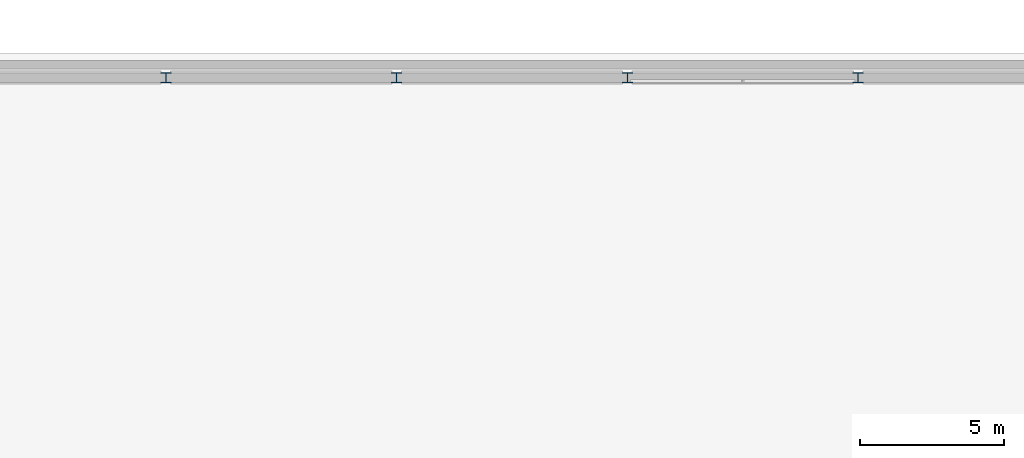
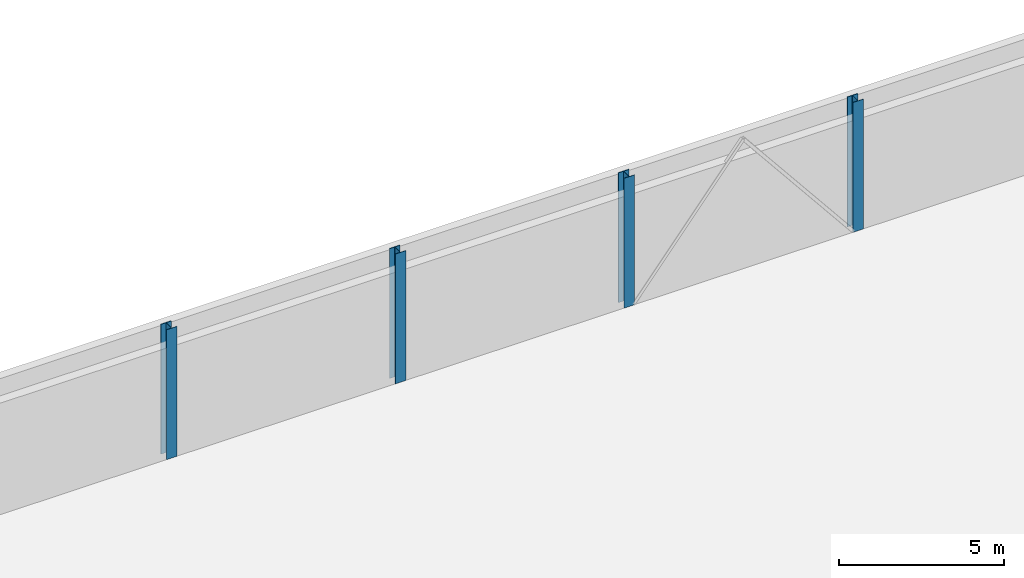
# One storey, part 12 of 117: 4 columns.
"""IFC4 building model written with IfcOpenShell, lengths in metres."""

from ifc_helpers import new_model, si_unit, direction, frame, origin, origin_2d, place, context, subcontext, project, spatial, i_section, extrude, material, material_profile, profile_set, type_object, element, save


model = new_model("IFC4")

# Units and contexts
model_context = context("Model", 3, precision=1e-05, world=origin(), true_north=direction((0.0, 1.0)))
body_context = subcontext(model_context, "Body", "Model", "MODEL_VIEW")
ifc_project = project(units=[si_unit("LENGTHUNIT", "METRE"), si_unit("AREAUNIT", "SQUARE_METRE"), si_unit("VOLUMEUNIT", "CUBIC_METRE"), si_unit("PLANEANGLEUNIT", "RADIAN"), si_unit("MASSUNIT", "GRAM", prefix="KILO")], contexts=[model_context])

# Site, building, storey
site_placement = place(None, origin())
site = spatial("IfcSite", under=ifc_project, at=site_placement, CompositionType="ELEMENT")
building_placement = place(site_placement, origin())
building = spatial("IfcBuilding", under=site, at=building_placement, Name="Jelvoka-Kovrelna Polytechnic", CompositionType="ELEMENT")
storey_placement = place(building_placement, origin())
storey = spatial("IfcBuildingStorey", under=building, at=storey_placement, Name="L01", CompositionType="ELEMENT", Elevation=0.0)

# Columns
ifc_material = material(Name="Structural steel S355JR", Category="steel")
ifc_material_profile = material_profile(ifc_material, i_section(OverallWidth=0.36865234375, OverallDepth=0.355712890625, WebThickness=0.010498046875, FlangeThickness=0.017578125, FilletRadius=0.01513671875, at=origin_2d()), Name="356x368x129 UC")
ifc_profile_set = profile_set([ifc_material_profile], Name="Structural steel S355JR")
column_type = type_object("IfcColumnType", Name="Col_Steel_UC356", PredefinedType="COLUMN", material=ifc_profile_set)
for number, where, z_axis, x_axis, name in (
    (1, (112.0, 120.0, 0.0), (0.0, 0.0, 1.0), (1.0, 0.0, 0.0), "L01 column 1630"),
    (2, (120.0, 120.0, 0.0), (0.0, 0.0, 1.0), (1.0, 0.0, 0.0), "L01 column 1633"),
    (3, (128.0, 120.0, 0.0), (0.0, 0.0, 1.0), (1.0, 0.0, 0.0), "L01 column 1636"),
    (4, (136.0, 120.0, 0.0), (0.0, 0.0, 1.0), (1.0, 0.0, 0.0), "L01 column 1639"),
):
    element("IfcColumn", number, at=place(storey_placement, frame(where, z_axis=z_axis, x_axis=x_axis)), inside=storey, type_object=column_type, Name=name, PredefinedType="COLUMN", context=body_context, shape_type="SweptSolid", body=[
        extrude(i_section(OverallWidth=0.36865234375, OverallDepth=0.355712890625, WebThickness=0.010498046875, FlangeThickness=0.017578125, FilletRadius=0.01513671875, at=origin_2d()), origin(), (0.0, 0.0, 1.0), 4.800048828125),
    ])

save(model, "model.ifc")
